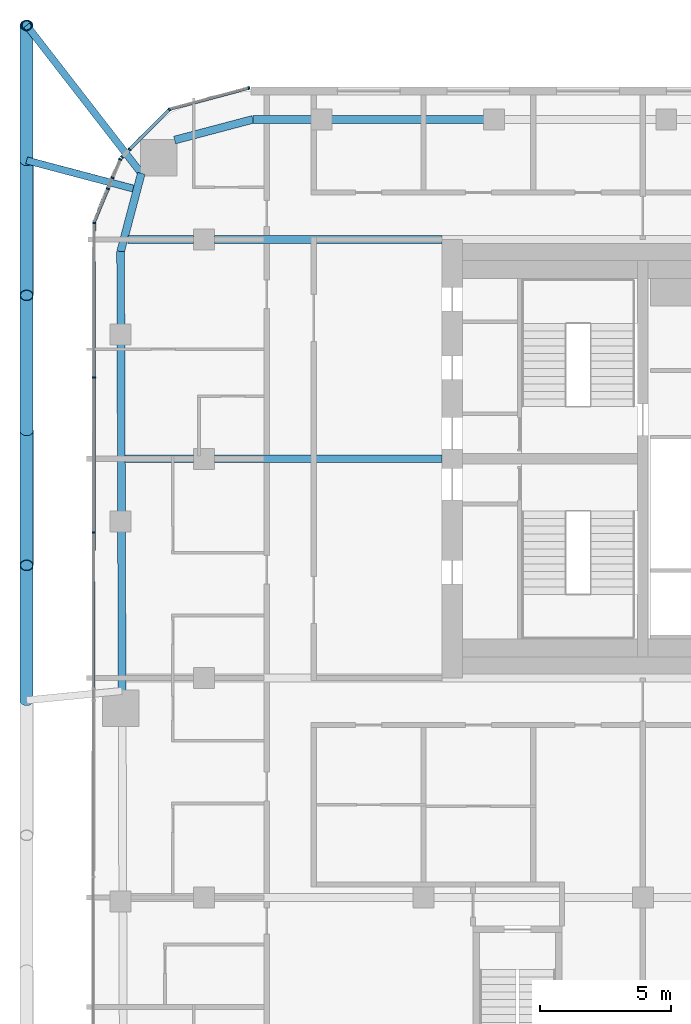
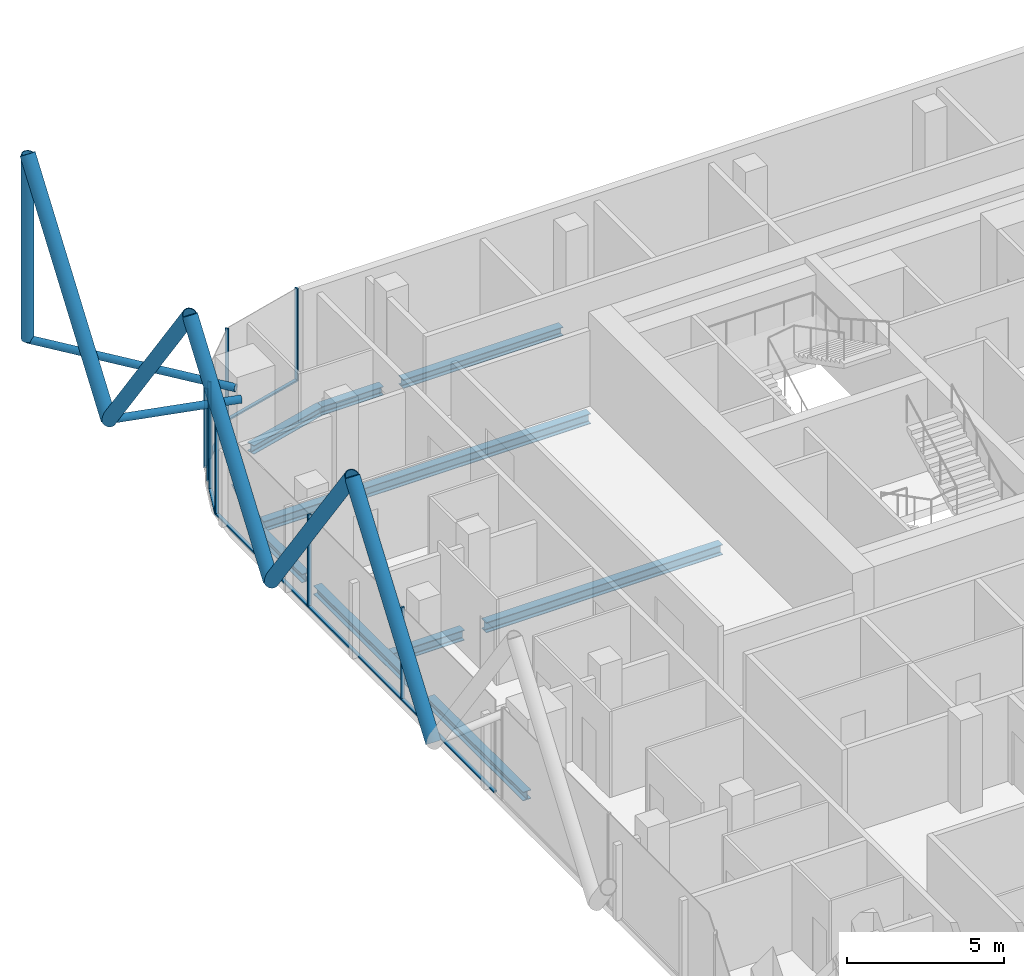
# One storey, part 8 of 31: 24 members, 11 beams, 7 elements without a shape of their own.
"""IFC4 building model written with IfcOpenShell, lengths in metres."""

from ifc_helpers import new_model, si_unit, direction, frame, origin, origin_2d, place, context, subcontext, project, spatial, rectangle, hollow_circle, i_section, extrude, material, layer, layer_set, material_profile, profile_set, type_object, element, aggregate, save


model = new_model("IFC4")

# Units and contexts
model_context = context("Model", 3, precision=1e-05, world=origin(), true_north=direction((0.0, 1.0)))
body_context = subcontext(model_context, "Body", "Model", "MODEL_VIEW")
ifc_project = project(units=[si_unit("LENGTHUNIT", "METRE"), si_unit("AREAUNIT", "SQUARE_METRE"), si_unit("VOLUMEUNIT", "CUBIC_METRE"), si_unit("PLANEANGLEUNIT", "RADIAN"), si_unit("MASSUNIT", "GRAM", prefix="KILO")], contexts=[model_context])

# Site, building, storey
site_placement = place(None, origin())
site = spatial("IfcSite", under=ifc_project, at=site_placement, CompositionType="ELEMENT")
building_placement = place(site_placement, origin())
building = spatial("IfcBuilding", under=site, at=building_placement, Name="Marenta Gate Hotel Tower", CompositionType="ELEMENT")
storey_placement = place(building_placement, frame((0.0, 0.0, 205.699951171875)))
storey = spatial("IfcBuildingStorey", under=building, at=storey_placement, Name="L47", CompositionType="ELEMENT", Elevation=205.699951171875)

# Members
ifc_material_1 = material(Name="Steel S355J2W", Category="steel")
ifc_material_profile_1 = material_profile(ifc_material_1, hollow_circle(Radius=0.203125, WallThickness=0.02490234375, at=origin_2d()), Name="CHS 406.4x25")
ifc_profile_set_1 = profile_set([ifc_material_profile_1], Name="Steel S355J2W")
member_type_1 = type_object("IfcMemberType", Name="Diagrid corner post Z3 CHS 406.4x25", PredefinedType="POST", material=ifc_profile_set_1)
member_1_placement = place(storey_placement, frame((-27.800048828125, 25.0, 3.14013671875), z_axis=(0.0, 0.0, 1.0), x_axis=(1.0, 0.0, 0.0)))
element("IfcMember", 1, at=member_1_placement, inside=storey, type_object=member_type_1, Name="L47-DR-6", PredefinedType="POST", context=body_context, shape_type="SweptSolid", body=[
    extrude(hollow_circle(Radius=0.203125, WallThickness=0.02490234375, at=origin_2d()), origin(), (0.0, 0.0, 1.0), 7.199951171875),
])
ifc_material_2 = material(Name="Steel S355J2W", Category="steel")
ifc_material_profile_2 = material_profile(ifc_material_2, hollow_circle(Radius=0.25390625, WallThickness=0.02490234375, at=origin_2d()), Name="CHS 508x25")
ifc_profile_set_2 = profile_set([ifc_material_profile_2], Name="Steel S355J2W")
member_type_2 = type_object("IfcMemberType", Name="Diagrid diagonal Z3 CHS 508x25", PredefinedType="BRACE", material=ifc_profile_set_2)
member_2_placement = place(storey_placement, frame((-27.800048828125, -0.85009765625, 3.14013671875), z_axis=(0.0, 0.583260841117, 0.812284919975), x_axis=(-1.0, 0.0, 0.0)))
element("IfcMember", 2, at=member_2_placement, inside=storey, type_object=member_type_2, Name="L47-DG-30", PredefinedType="BRACE", context=body_context, shape_type="SweptSolid", body=[
    extrude(hollow_circle(Radius=0.25390625, WallThickness=0.02490234375, at=origin_2d()), origin(), (0.0, 0.0, 1.0), 8.86376953125),
])
member_3_placement = place(storey_placement, frame((-27.800048828125, 9.489990234375, 3.14013671875), z_axis=(0.0, -0.583279014058, 0.812271870595), x_axis=(1.0, 0.0, 0.0)))
element("IfcMember", 3, at=member_3_placement, inside=storey, type_object=member_type_2, Name="L47-DG-31", PredefinedType="BRACE", context=body_context, shape_type="SweptSolid", body=[
    extrude(hollow_circle(Radius=0.25390625, WallThickness=0.02490234375, at=origin_2d()), origin(), (0.0, 0.0, 1.0), 8.864013671875),
])
member_4_placement = place(storey_placement, frame((-27.800048828125, 9.489990234375, 3.14013671875), z_axis=(0.0, 0.583260841117, 0.812284919975), x_axis=(-1.0, 0.0, 0.0)))
element("IfcMember", 4, at=member_4_placement, inside=storey, type_object=member_type_2, Name="L47-DG-32", PredefinedType="BRACE", context=body_context, shape_type="SweptSolid", body=[
    extrude(hollow_circle(Radius=0.25390625, WallThickness=0.02490234375, at=origin_2d()), origin(), (0.0, 0.0, 1.0), 8.86376953125),
])
member_5_placement = place(storey_placement, frame((-27.800048828125, 19.830078125, 3.14013671875), z_axis=(0.0, -0.583279014058, 0.812271870595), x_axis=(1.0, 0.0, 0.0)))
element("IfcMember", 5, at=member_5_placement, inside=storey, type_object=member_type_2, Name="L47-DG-33", PredefinedType="BRACE", context=body_context, shape_type="SweptSolid", body=[
    extrude(hollow_circle(Radius=0.25390625, WallThickness=0.02490234375, at=origin_2d()), origin(), (0.0, 0.0, 1.0), 8.864013671875),
])
member_6_placement = place(storey_placement, frame((-27.800048828125, 19.830078125, 3.14013671875), z_axis=(0.0, 0.583260841117, 0.812284919975), x_axis=(-1.0, 0.0, 0.0)))
element("IfcMember", 6, at=member_6_placement, inside=storey, type_object=member_type_2, Name="L47-DG-34", PredefinedType="BRACE", context=body_context, shape_type="SweptSolid", body=[
    extrude(hollow_circle(Radius=0.25390625, WallThickness=0.02490234375, at=origin_2d()), origin(), (0.0, 0.0, 1.0), 8.86376953125),
])

# Beams
ifc_material_3 = material(Name="Steel S355", Category="steel")
ifc_material_profile_3 = material_profile(ifc_material_3, i_section(OverallWidth=0.300048828125, OverallDepth=0.340087890625, WebThickness=0.011962890625, FlangeThickness=0.021484375, FilletRadius=0.027099609375, at=origin_2d()), Name="HEB 340")
ifc_profile_set_3 = profile_set([ifc_material_profile_3], Name="Steel S355")
beam_type_1 = type_object("IfcBeamType", Name="Edge beam HEB 340", PredefinedType="SPANDREL", material=ifc_profile_set_3)
beam_1_placement = place(storey_placement, frame((-24.14404296875, -0.489990234375, -0.429931640625), z_axis=(-0.003303859048, 0.999994542243, 0.0), x_axis=(-0.999994542243, -0.003303859048, 0.0)))
element("IfcBeam", 7, at=beam_1_placement, inside=storey, type_object=beam_type_1, Name="L47-EB-8", PredefinedType="SPANDREL", context=body_context, shape_type="SweptSolid", body=[
    extrude(i_section(OverallWidth=0.300048828125, OverallDepth=0.340087890625, WebThickness=0.011962890625, FlangeThickness=0.021484375, FilletRadius=0.027099609375, at=origin_2d()), origin(), (0.0, 0.0, 1.0), 6.13330078125),
])
beam_2_placement = place(storey_placement, frame((-24.166748046875, 6.36328125, -0.429931640625), z_axis=(-0.00333963982, 0.999994423387, 0.0), x_axis=(-0.999994423387, -0.00333963982, 0.0)))
element("IfcBeam", 8, at=beam_2_placement, inside=storey, type_object=beam_type_1, Name="L47-EB-9", PredefinedType="SPANDREL", context=body_context, shape_type="SweptSolid", body=[
    extrude(i_section(OverallWidth=0.300048828125, OverallDepth=0.340087890625, WebThickness=0.011962890625, FlangeThickness=0.021484375, FilletRadius=0.027099609375, at=origin_2d()), origin(), (0.0, 0.0, 1.0), 6.43310546875),
])
beam_3_placement = place(storey_placement, frame((-24.190673828125, 13.516357421875, -0.429931640625), z_axis=(-0.003292020626, 0.999994581285, 0.0), x_axis=(-0.999994581285, -0.003292020626, 0.0)))
element("IfcBeam", 9, at=beam_3_placement, inside=storey, type_object=beam_type_1, Name="L47-EB-10", PredefinedType="SPANDREL", context=body_context, shape_type="SweptSolid", body=[
    extrude(i_section(OverallWidth=0.300048828125, OverallDepth=0.340087890625, WebThickness=0.011962890625, FlangeThickness=0.021484375, FilletRadius=0.027099609375, at=origin_2d()), origin(), (0.0, 0.0, 1.0), 2.818115234375),
])
beam_4_placement = place(storey_placement, frame((-24.199951171875, 16.33447265625, -0.429931640625), z_axis=(0.255648013319, 0.966769927794, 0.0), x_axis=(-0.966769927794, 0.255648013319, 0.0)))
element("IfcBeam", 10, at=beam_4_placement, inside=storey, type_object=beam_type_1, Name="L47-EB-11", PredefinedType="SPANDREL", context=body_context, shape_type="SweptSolid", body=[
    extrude(i_section(OverallWidth=0.300048828125, OverallDepth=0.340087890625, WebThickness=0.011962890625, FlangeThickness=0.021484375, FilletRadius=0.027099609375, at=origin_2d()), origin(), (0.0, 0.0, 1.0), 3.100830078125),
])
beam_5_placement = place(storey_placement, frame((-22.132080078125, 20.607177734375, -0.429931640625), z_axis=(0.9667647815, 0.25566747398, 0.0), x_axis=(-0.25566747398, 0.9667647815, 0.0)))
element("IfcBeam", 11, at=beam_5_placement, inside=storey, type_object=beam_type_1, Name="L47-EB-12", PredefinedType="SPANDREL", context=body_context, shape_type="SweptSolid", body=[
    extrude(i_section(OverallWidth=0.300048828125, OverallDepth=0.340087890625, WebThickness=0.011962890625, FlangeThickness=0.021484375, FilletRadius=0.027099609375, at=origin_2d()), origin(), (0.0, 0.0, 1.0), 3.1005859375),
])
beam_6_placement = place(storey_placement, frame((-19.134521484375, 21.39990234375, -0.429931640625), z_axis=(1.0, 0.0, 0.0), x_axis=(0.0, 1.0, 0.0)))
element("IfcBeam", 12, at=beam_6_placement, inside=storey, type_object=beam_type_1, Name="L47-EB-13", PredefinedType="SPANDREL", context=body_context, shape_type="SweptSolid", body=[
    extrude(i_section(OverallWidth=0.300048828125, OverallDepth=0.340087890625, WebThickness=0.011962890625, FlangeThickness=0.021484375, FilletRadius=0.027099609375, at=origin_2d()), origin(), (0.0, 0.0, 1.0), 2.267578125),
])
beam_7_placement = place(storey_placement, frame((-16.14697265625, 21.39990234375, -0.429931640625), z_axis=(1.0, 0.0, 0.0), x_axis=(0.0, 1.0, 0.0)))
element("IfcBeam", 13, at=beam_7_placement, inside=storey, type_object=beam_type_1, Name="L47-EB-14", PredefinedType="SPANDREL", context=body_context, shape_type="SweptSolid", body=[
    extrude(i_section(OverallWidth=0.300048828125, OverallDepth=0.340087890625, WebThickness=0.011962890625, FlangeThickness=0.021484375, FilletRadius=0.027099609375, at=origin_2d()), origin(), (0.0, 0.0, 1.0), 5.8828125),
])

# Members
ifc_material_4 = material(Name="Steel S355J2W", Category="steel")
ifc_material_profile_4 = material_profile(ifc_material_4, hollow_circle(Radius=0.136474609375, WallThickness=0.012451171875, at=origin_2d()), Name="CHS 273x12.5")
ifc_profile_set_4 = profile_set([ifc_material_profile_4], Name="Steel S355J2W")
member_type_3 = type_object("IfcMemberType", Name="Floor tie CHS 273x12.5", PredefinedType="STRUT", material=ifc_profile_set_4)
member_7_placement = place(storey_placement, frame((-27.800048828125, 19.830078125, 3.14013671875), z_axis=(0.966769042409, -0.255651361506, 0.0), x_axis=(0.255651361506, 0.966769042409, 0.0)))
element("IfcMember", 14, at=member_7_placement, inside=storey, type_object=member_type_3, Name="L47-DR-21", PredefinedType="STRUT", context=body_context, shape_type="SweptSolid", body=[
    extrude(hollow_circle(Radius=0.136474609375, WallThickness=0.012451171875, at=origin_2d()), origin(), (0.0, 0.0, 1.0), 4.3681640625),
])
member_8_placement = place(storey_placement, frame((-27.800048828125, 25.0, 3.14013671875), z_axis=(0.61259242592, -0.790398962363, 0.0), x_axis=(0.790398962363, 0.61259242592, 0.0)))
element("IfcMember", 15, at=member_8_placement, inside=storey, type_object=member_type_3, Name="L47-DR-22", PredefinedType="STRUT", context=body_context, shape_type="SweptSolid", body=[
    extrude(hollow_circle(Radius=0.136474609375, WallThickness=0.012451171875, at=origin_2d()), origin(), (0.0, 0.0, 1.0), 7.163330078125),
])

# Beams
ifc_material_5 = material(Name="Steel S355", Category="steel")
ifc_material_profile_5 = material_profile(ifc_material_5, i_section(OverallWidth=0.300048828125, OverallDepth=0.39990234375, WebThickness=0.013427734375, FlangeThickness=0.02392578125, FilletRadius=0.027099609375, at=origin_2d()), Name="HEB 400")
ifc_profile_set_5 = profile_set([ifc_material_profile_5], Name="Steel S355")
beam_type_2 = type_object("IfcBeamType", Name="Girder HEB 400", PredefinedType="BEAM", material=ifc_profile_set_5)
beam_8_placement = place(storey_placement, frame((-24.023681640625, 8.39990234375, -0.4599609375), z_axis=(1.0, 0.0, 0.0), x_axis=(0.0, 1.0, 0.0)))
element("IfcBeam", 16, at=beam_8_placement, inside=storey, type_object=beam_type_2, Name="L47-GD-25", PredefinedType="BEAM", context=body_context, shape_type="SweptSolid", body=[
    extrude(i_section(OverallWidth=0.300048828125, OverallDepth=0.39990234375, WebThickness=0.013427734375, FlangeThickness=0.02392578125, FilletRadius=0.027099609375, at=origin_2d()), origin(), (0.0, 0.0, 1.0), 2.623779296875),
])
beam_9_placement = place(storey_placement, frame((-20.60009765625, 8.39990234375, -0.4599609375), z_axis=(1.0, 0.0, 0.0), x_axis=(0.0, 1.0, 0.0)))
element("IfcBeam", 17, at=beam_9_placement, inside=storey, type_object=beam_type_2, Name="L47-GD-26", PredefinedType="BEAM", context=body_context, shape_type="SweptSolid", body=[
    extrude(i_section(OverallWidth=0.300048828125, OverallDepth=0.39990234375, WebThickness=0.013427734375, FlangeThickness=0.02392578125, FilletRadius=0.027099609375, at=origin_2d()), origin(), (0.0, 0.0, 1.0), 8.7001953125),
])
beam_10_placement = place(storey_placement, frame((-23.921630859375, 16.800048828125, -0.4599609375), z_axis=(1.0, 0.0, 0.0), x_axis=(0.0, 1.0, 0.0)))
element("IfcBeam", 18, at=beam_10_placement, inside=storey, type_object=beam_type_2, Name="L47-GD-29", PredefinedType="BEAM", context=body_context, shape_type="SweptSolid", body=[
    extrude(i_section(OverallWidth=0.300048828125, OverallDepth=0.39990234375, WebThickness=0.013427734375, FlangeThickness=0.02392578125, FilletRadius=0.027099609375, at=origin_2d()), origin(), (0.0, 0.0, 1.0), 2.521728515625),
])
beam_11_placement = place(storey_placement, frame((-20.60009765625, 16.800048828125, -0.4599609375), z_axis=(1.0, 0.0, 0.0), x_axis=(0.0, 1.0, 0.0)))
element("IfcBeam", 19, at=beam_11_placement, inside=storey, type_object=beam_type_2, Name="L47-GD-30", PredefinedType="BEAM", context=body_context, shape_type="SweptSolid", body=[
    extrude(i_section(OverallWidth=0.300048828125, OverallDepth=0.39990234375, WebThickness=0.013427734375, FlangeThickness=0.02392578125, FilletRadius=0.027099609375, at=origin_2d()), origin(), (0.0, 0.0, 1.0), 8.7001953125),
])

# Curtain wall, member
ifc_material_6 = material(Name="Tinted insulated glass in bronze anodised frame", Category="glass")
ifc_layer = layer(ifc_material_6, 0.1201171875)
ifc_layer_set = layer_set([ifc_layer], Name="Tinted insulated glass in bronze anodised frame")
curtain_wall_type = type_object("IfcCurtainWallType", Name="Tower unitised curtain wall CW1", PredefinedType="NOTDEFINED", material=ifc_layer_set)
curtain_wall_1_placement = place(storey_placement, origin())
curtain_wall_1 = element("IfcCurtainWall", 20, at=curtain_wall_1_placement, inside=storey, type_object=curtain_wall_type, Name="CW1 run G00", PredefinedType="NOTDEFINED")
ifc_material_7 = material(Name="Bronze anodised aluminium", Category="aluminium")
ifc_material_profile_6 = material_profile(ifc_material_7, rectangle(XDim=0.1201171875, YDim=0.06005859375, at=origin_2d()), Name="Mullion CW1 60x120 bronze anodised aluminium")
ifc_profile_set_6 = profile_set([ifc_material_profile_6], Name="Bronze anodised aluminium")
member_type_4 = type_object("IfcMemberType", Name="Mullion CW1 60x120 bronze anodised aluminium", PredefinedType="MULLION", material=ifc_profile_set_6)
member_9_placement = place(storey_placement, frame((-19.285400390625, 22.603271484375, 0.0), z_axis=(0.0, 0.0, 1.0), x_axis=(0.258801379183, -0.965930559685, 0.0)))
member_9 = element("IfcMember", 21, at=member_9_placement, type_object=member_type_4, Name="CW1 mullion 1", PredefinedType="MULLION", context=body_context, shape_type="SweptSolid", body=[
    extrude(rectangle(XDim=0.1201171875, YDim=0.06005859375, at=origin_2d()), origin(), (0.0, 0.0, 1.0), 3.60009765625),
])

curtain_wall_2_placement = place(storey_placement, origin())
curtain_wall_2 = element("IfcCurtainWall", 22, at=curtain_wall_2_placement, inside=storey, type_object=curtain_wall_type, Name="CW1 run G01", PredefinedType="NOTDEFINED")
member_10_placement = place(storey_placement, frame((-22.334228515625, 21.77099609375, 0.0), z_axis=(0.0, 0.0, 1.0), x_axis=(0.707106781187, -0.707106781187, 0.0)))
member_10 = element("IfcMember", 23, at=member_10_placement, type_object=member_type_4, Name="CW1 mullion 1", PredefinedType="MULLION", context=body_context, shape_type="SweptSolid", body=[
    extrude(rectangle(XDim=0.1201171875, YDim=0.06005859375, at=origin_2d()), origin(), (0.0, 0.0, 1.0), 3.60009765625),
])

# Curtain wall, members
curtain_wall_3_placement = place(storey_placement, origin())
curtain_wall_3 = element("IfcCurtainWall", 24, at=curtain_wall_3_placement, inside=storey, type_object=curtain_wall_type, Name="CW1 run G02", PredefinedType="NOTDEFINED")
member_11_placement = place(storey_placement, frame((-23.86328125, 20.24169921875, 0.0), z_axis=(0.0, 0.0, 1.0), x_axis=(0.707106781187, -0.707106781187, 0.0)))
member_11 = element("IfcMember", 25, at=member_11_placement, type_object=member_type_4, Name="CW1 mullion 1", PredefinedType="MULLION", context=body_context, shape_type="SweptSolid", body=[
    extrude(rectangle(XDim=0.1201171875, YDim=0.06005859375, at=origin_2d()), origin(), (0.0, 0.0, 1.0), 3.00048828125),
])
member_12_placement = place(storey_placement, frame((-24.143798828125, 19.961181640625, 0.0), z_axis=(0.0, 0.0, 1.0), x_axis=(0.707106781187, -0.707106781187, 0.0)))
member_12 = element("IfcMember", 26, at=member_12_placement, type_object=member_type_4, Name="CW1 mullion 2", PredefinedType="MULLION", context=body_context, shape_type="SweptSolid", body=[
    extrude(rectangle(XDim=0.1201171875, YDim=0.06005859375, at=origin_2d()), origin(), (0.0, 0.0, 1.0), 3.00048828125),
])
aggregate(curtain_wall_3, [member_11, member_12])

# Curtain wall, member
curtain_wall_4_placement = place(storey_placement, origin())
curtain_wall_4 = element("IfcCurtainWall", 27, at=curtain_wall_4_placement, inside=storey, type_object=curtain_wall_type, Name="CW1 run G03", PredefinedType="NOTDEFINED")
member_13_placement = place(storey_placement, frame((-24.215087890625, 19.87353515625, 0.0), z_axis=(0.0, 0.0, 1.0), x_axis=(0.923867791185, -0.382711777204, 0.0)))
member_13 = element("IfcMember", 28, at=member_13_placement, type_object=member_type_4, Name="CW1 mullion 1", PredefinedType="MULLION", context=body_context, shape_type="SweptSolid", body=[
    extrude(rectangle(XDim=0.1201171875, YDim=0.06005859375, at=origin_2d()), origin(), (0.0, 0.0, 1.0), 3.60009765625),
])
aggregate(curtain_wall_4, [member_13])

curtain_wall_5_placement = place(storey_placement, origin())
curtain_wall_5 = element("IfcCurtainWall", 29, at=curtain_wall_5_placement, inside=storey, type_object=curtain_wall_type, Name="CW1 run G04", PredefinedType="NOTDEFINED")
member_14_placement = place(storey_placement, frame((-24.50927734375, 19.163330078125, 0.0), z_axis=(0.0, 0.0, 1.0), x_axis=(0.923896848097, -0.382641626167, 0.0)))
member_14 = element("IfcMember", 30, at=member_14_placement, type_object=member_type_4, Name="CW1 mullion 1", PredefinedType="MULLION", context=body_context, shape_type="SweptSolid", body=[
    extrude(rectangle(XDim=0.1201171875, YDim=0.06005859375, at=origin_2d()), origin(), (0.0, 0.0, 1.0), 3.00048828125),
])
aggregate(curtain_wall_5, [member_14])

curtain_wall_6_placement = place(storey_placement, origin())
curtain_wall_6 = element("IfcCurtainWall", 31, at=curtain_wall_6_placement, inside=storey, type_object=curtain_wall_type, Name="CW1 run G05", PredefinedType="NOTDEFINED")
member_15_placement = place(storey_placement, frame((-24.684326171875, 18.740966796875, 0.0), z_axis=(0.0, 0.0, 1.0), x_axis=(0.923893220226, -0.382650385627, 0.0)))
member_15 = element("IfcMember", 32, at=member_15_placement, type_object=member_type_4, Name="CW1 mullion 1", PredefinedType="MULLION", context=body_context, shape_type="SweptSolid", body=[
    extrude(rectangle(XDim=0.1201171875, YDim=0.06005859375, at=origin_2d()), origin(), (0.0, 0.0, 1.0), 3.60009765625),
])

# Curtain wall, members
curtain_wall_7_placement = place(storey_placement, origin())
curtain_wall_7 = element("IfcCurtainWall", 33, at=curtain_wall_7_placement, inside=storey, type_object=curtain_wall_type, Name="CW1 run G06", PredefinedType="NOTDEFINED")
member_16_placement = place(storey_placement, frame((-25.21240234375, 17.436279296875, 0.0), z_axis=(0.0, 0.0, 1.0), x_axis=(0.999998767857, -0.001569803969, 0.0)))
member_16 = element("IfcMember", 34, at=member_16_placement, type_object=member_type_4, Name="CW1 mullion 1", PredefinedType="MULLION", context=body_context, shape_type="SweptSolid", body=[
    extrude(rectangle(XDim=0.1201171875, YDim=0.06005859375, at=origin_2d()), origin(), (0.0, 0.0, 1.0), 3.60009765625),
])
member_17_placement = place(storey_placement, frame((-25.2216796875, 11.520751953125, 0.0), z_axis=(0.0, 0.0, 1.0), x_axis=(0.999998767857, -0.001569803969, 0.0)))
member_17 = element("IfcMember", 35, at=member_17_placement, type_object=member_type_4, Name="CW1 mullion 2", PredefinedType="MULLION", context=body_context, shape_type="SweptSolid", body=[
    extrude(rectangle(XDim=0.1201171875, YDim=0.06005859375, at=origin_2d()), origin(), (0.0, 0.0, 1.0), 3.60009765625),
])
member_18_placement = place(storey_placement, frame((-25.23095703125, 5.5751953125, 0.0), z_axis=(0.0, 0.0, 1.0), x_axis=(0.999998767857, -0.001569803969, 0.0)))
member_18 = element("IfcMember", 36, at=member_18_placement, type_object=member_type_4, Name="CW1 mullion 3", PredefinedType="MULLION", context=body_context, shape_type="SweptSolid", body=[
    extrude(rectangle(XDim=0.1201171875, YDim=0.06005859375, at=origin_2d()), origin(), (0.0, 0.0, 1.0), 3.60009765625),
])

# Member
ifc_material_8 = material(Name="Bronze anodised aluminium", Category="aluminium")
ifc_material_profile_7 = material_profile(ifc_material_8, rectangle(XDim=0.1201171875, YDim=0.06005859375, at=origin_2d()), Name="Transom CW1 60x120 bronze anodised aluminium")
ifc_profile_set_7 = profile_set([ifc_material_profile_7], Name="Bronze anodised aluminium")
member_type_5 = type_object("IfcMemberType", Name="Transom CW1 60x120 bronze anodised aluminium", PredefinedType="USERDEFINED", material=ifc_profile_set_7)
member_19_placement = place(storey_placement, frame((-19.314453125, 22.595458984375, 0.030029296875), z_axis=(-0.965924882171, -0.258822568574, 0.0), x_axis=(0.258822568574, -0.965924882171, 0.0)))
member_19 = element("IfcMember", 37, at=member_19_placement, type_object=member_type_5, Name="CW1 transom 1.1", ObjectType="TRANSOM", PredefinedType="USERDEFINED", context=body_context, shape_type="SweptSolid", body=[
    extrude(rectangle(XDim=0.1201171875, YDim=0.06005859375, at=origin_2d()), origin(), (0.0, 0.0, 1.0), 3.104248046875),
])

aggregate(curtain_wall_1, [member_9, member_19])

member_20_placement = place(storey_placement, frame((-22.355224609375, 21.749755859375, 0.030029296875), z_axis=(-0.707106781187, -0.707106781187, 0.0), x_axis=(0.707106781187, -0.707106781187, 0.0)))
member_20 = element("IfcMember", 38, at=member_20_placement, type_object=member_type_5, Name="CW1 transom 1.1", ObjectType="TRANSOM", PredefinedType="USERDEFINED", context=body_context, shape_type="SweptSolid", body=[
    extrude(rectangle(XDim=0.1201171875, YDim=0.06005859375, at=origin_2d()), origin(), (0.0, 0.0, 1.0), 2.102783203125),
])

aggregate(curtain_wall_2, [member_10, member_20])

member_21_placement = place(storey_placement, frame((-24.69580078125, 18.71337890625, 0.030029296875), z_axis=(-0.382713863941, -0.923866926753, 0.0), x_axis=(0.923866926753, -0.382713863941, 0.0)))
member_21 = element("IfcMember", 39, at=member_21_placement, type_object=member_type_5, Name="CW1 transom 1.1", ObjectType="TRANSOM", PredefinedType="USERDEFINED", context=body_context, shape_type="SweptSolid", body=[
    extrude(rectangle(XDim=0.1201171875, YDim=0.06005859375, at=origin_2d()), origin(), (0.0, 0.0, 1.0), 1.349853515625),
])

aggregate(curtain_wall_6, [member_15, member_21])

member_22_placement = place(storey_placement, frame((-25.21240234375, 17.40625, 0.030029296875), z_axis=(-0.001584387604, -0.999998744857, 0.0), x_axis=(0.999998744857, -0.001584387604, 0.0)))
member_22 = element("IfcMember", 40, at=member_22_placement, type_object=member_type_5, Name="CW1 transom 1.1", ObjectType="TRANSOM", PredefinedType="USERDEFINED", context=body_context, shape_type="SweptSolid", body=[
    extrude(rectangle(XDim=0.1201171875, YDim=0.06005859375, at=origin_2d()), origin(), (0.0, 0.0, 1.0), 5.85546875),
])

member_23_placement = place(storey_placement, frame((-25.2216796875, 11.49072265625, 0.030029296875), z_axis=(-0.001576303679, -0.999998757633, 0.0), x_axis=(0.999998757633, -0.001576303679, 0.0)))
member_23 = element("IfcMember", 41, at=member_23_placement, type_object=member_type_5, Name="CW1 transom 2.1", ObjectType="TRANSOM", PredefinedType="USERDEFINED", context=body_context, shape_type="SweptSolid", body=[
    extrude(rectangle(XDim=0.1201171875, YDim=0.06005859375, at=origin_2d()), origin(), (0.0, 0.0, 1.0), 5.885498046875),
])

member_24_placement = place(storey_placement, frame((-25.23095703125, 5.545166015625, 0.030029296875), z_axis=(-0.001568301827, -0.999998770214, 0.0), x_axis=(0.999998770214, -0.001568301827, 0.0)))
member_24 = element("IfcMember", 42, at=member_24_placement, type_object=member_type_5, Name="CW1 transom 3.1", ObjectType="TRANSOM", PredefinedType="USERDEFINED", context=body_context, shape_type="SweptSolid", body=[
    extrude(rectangle(XDim=0.1201171875, YDim=0.06005859375, at=origin_2d()), origin(), (0.0, 0.0, 1.0), 5.91552734375),
])

aggregate(curtain_wall_7, [member_16, member_17, member_18, member_22, member_23, member_24])

save(model, "model.ifc")
